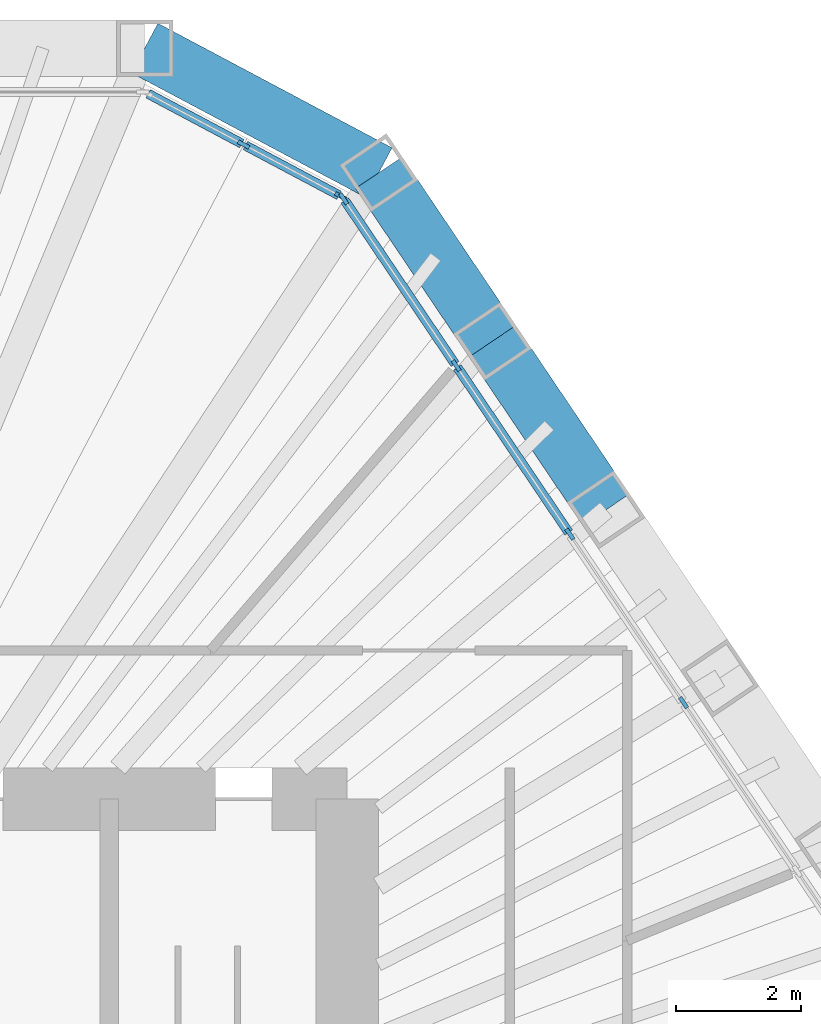
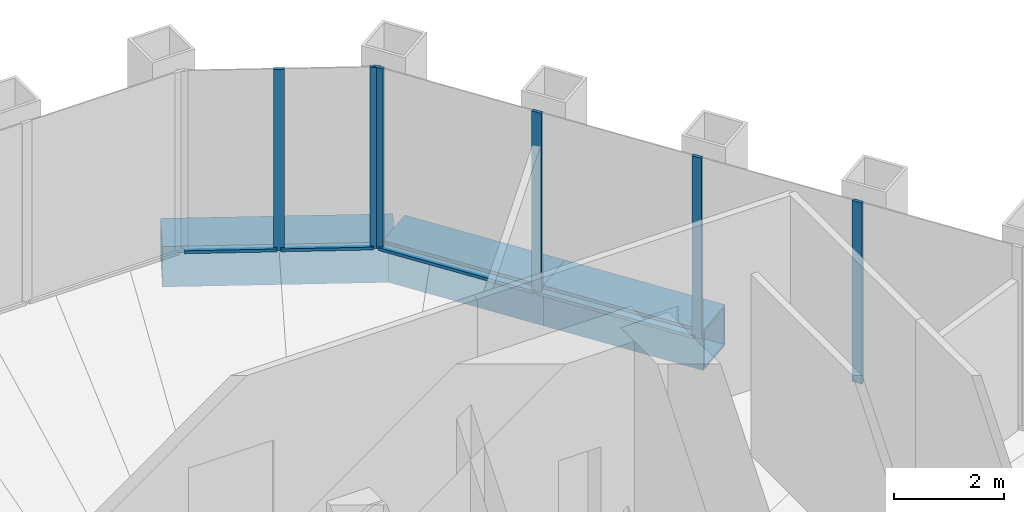
# One storey, part 8 of 14: 10 members, 3 beams, 2 elements without a shape of their own.
"""IFC4 building model written with IfcOpenShell, lengths in metres."""

import ifcopenshell
import ifcopenshell.guid

model = None  # the IFC model being written
_history = None  # IfcOwnerHistory: only IFC2X3 demands one
_inside = {}  # id of a spatial element -> (the spatial element, [elements in it])
_under = {}  # id of a project, library or spatial element -> (it, [spatial elements below it])
_declared = {}  # id of a project -> (the project, [libraries it declares])
_typed = {}  # id of a type object -> (the type object, [elements of that type])
_made_of = {}  # id of a material, layer set ... -> (it, [elements and type objects made of it])


def new_model(schema):
    """Start an empty IFC model of exactly this schema.

    Asked for "IFC4X3", IfcOpenShell would pick the latest addendum, in which some entities
    have other attributes; the version numbers below select the first issue.
    IFC2X3 requires an IfcOwnerHistory on every rooted entity: one is made here for all.
    """
    global model, _history
    if schema == "IFC4X3":
        model = ifcopenshell.file(schema_version=(4, 3, 0, 0))
    else:
        model = ifcopenshell.file(schema=schema)
    _inside.clear()
    _under.clear()
    _declared.clear()
    _typed.clear()
    _made_of.clear()
    _history = None
    if model.schema == "IFC2X3":
        org = make("IfcOrganization", Name="unknown")
        user = make(
            "IfcPersonAndOrganization",
            ThePerson=make("IfcPerson", FamilyName="unknown"),
            TheOrganization=org,
        )
        app = make(
            "IfcApplication",
            ApplicationDeveloper=org,
            Version="unknown",
            ApplicationFullName="unknown",
            ApplicationIdentifier="unknown",
        )
        _history = make(
            "IfcOwnerHistory",
            OwningUser=user,
            OwningApplication=app,
            ChangeAction="ADDED",
            CreationDate=0,
        )
    return model


def make(cls, **values):
    """One entity of the class cls with the attributes given. An attribute that is None is left unset."""
    return model.create_entity(
        cls, **{name: value for name, value in values.items() if value is not None}
    )


def rooted(cls, **values):
    """An entity with a GlobalId (a new one), such as an element, a storey or a relation."""
    return make(cls, GlobalId=ifcopenshell.guid.new(), OwnerHistory=_history, **values)


def si_unit(unit_type, name, prefix=None):
    """IfcSIUnit, for example si_unit("LENGTHUNIT", "METRE", prefix="MILLI")."""
    return make("IfcSIUnit", UnitType=unit_type, Prefix=prefix, Name=name)


def assignment(units):
    """IfcUnitAssignment: the units of a project."""
    return None if units is None else make("IfcUnitAssignment", Units=units)


def point(xyz):
    """IfcCartesianPoint."""
    return None if xyz is None else make("IfcCartesianPoint", Coordinates=xyz)


def direction(xyz):
    """IfcDirection."""
    return None if xyz is None else make("IfcDirection", DirectionRatios=xyz)


def frame(location, z_axis=None, x_axis=None):
    """IfcAxis2Placement3D, a coordinate frame: its origin and axes. An axis left out is left unset."""
    return make(
        "IfcAxis2Placement3D",
        Location=point(location),
        Axis=direction(z_axis),
        RefDirection=direction(x_axis),
    )


def frame_2d(location, x_axis=None):
    """IfcAxis2Placement2D, a coordinate frame in the plane: its origin and x axis."""
    return make(
        "IfcAxis2Placement2D", Location=point(location), RefDirection=direction(x_axis)
    )


def origin():
    """The frame at (0, 0, 0) with its axes left unset."""
    return frame((0.0, 0.0, 0.0))


def origin_2d():
    """The frame at (0, 0) in the plane with its x axis left unset."""
    return frame_2d((0.0, 0.0))


def place(relative_to, where):
    """IfcLocalPlacement: puts the frame where relative to a parent placement (None: the world)."""
    return make(
        "IfcLocalPlacement", PlacementRelTo=relative_to, RelativePlacement=where
    )


def context(
    kind, dimensions, precision=None, world=None, true_north=None, identifier=None
):
    """IfcGeometricRepresentationContext, for example the 3D "Model" context."""
    return make(
        "IfcGeometricRepresentationContext",
        ContextIdentifier=identifier,
        ContextType=kind,
        CoordinateSpaceDimension=dimensions,
        Precision=precision,
        WorldCoordinateSystem=world,
        TrueNorth=true_north,
    )


def subcontext(parent, identifier, kind, view, scale=None):
    """IfcGeometricRepresentationSubContext, for example "Body" below "Model"."""
    return make(
        "IfcGeometricRepresentationSubContext",
        ContextIdentifier=identifier,
        ContextType=kind,
        ParentContext=parent,
        TargetScale=scale,
        TargetView=view,
    )


def project(units=None, contexts=None):
    """IfcProject with its units and contexts."""
    return rooted(
        "IfcProject",
        Name="project",
        RepresentationContexts=contexts,
        UnitsInContext=assignment(units),
    )


def spatial(cls, under=None, at=None, **own):
    """A site, building, storey or space (cls), placed at a placement, below another one or the project."""
    s = rooted(cls, ObjectPlacement=at, **own)
    if under is not None:
        _under.setdefault(under.id(), (under, []))[1].append(s)
    return s


def profile(cls, at=None, kind="AREA", **sizes):
    """A parametric profile (cls). Its sizes go by their IFC names, for example OverallWidth=200.0."""
    return make(cls, ProfileType=kind, Position=at, **sizes)


def rectangle(**sizes):
    """IfcRectangleProfileDef."""
    return profile("IfcRectangleProfileDef", **sizes)


def hollow_rectangle(**sizes):
    """IfcRectangleHollowProfileDef."""
    return profile("IfcRectangleHollowProfileDef", **sizes)


def extrude(swept, where, along, depth):
    """IfcExtrudedAreaSolid: the profile swept, set in the frame where, extruded along a direction by depth."""
    return make(
        "IfcExtrudedAreaSolid",
        SweptArea=swept,
        Position=where,
        ExtrudedDirection=direction(along),
        Depth=depth,
    )


def shape(context_of_items, identifier, shape_type, items):
    """IfcShapeRepresentation: the items that make up one representation, for example the "Body"."""
    return make(
        "IfcShapeRepresentation",
        ContextOfItems=context_of_items,
        RepresentationIdentifier=identifier,
        RepresentationType=shape_type,
        Items=items,
    )


def material(Name=None, Category=None):
    """IfcMaterial."""
    return make("IfcMaterial", Name=Name, Category=Category)


def material_profile(
    of_material, cross_section, Name=None, Category=None, Priority=None
):
    """IfcMaterialProfile: a cross section and its material."""
    return make(
        "IfcMaterialProfile",
        Name=Name,
        Material=of_material,
        Profile=cross_section,
        Priority=Priority,
        Category=Category,
    )


def profile_set(profiles, Name=None, composite=None):
    """IfcMaterialProfileSet."""
    return make(
        "IfcMaterialProfileSet",
        Name=Name,
        MaterialProfiles=profiles,
        CompositeProfile=composite,
    )


def made_of(thing, what):
    """Note that an element or type object is made of a material, layer set ...; save() writes the relation."""
    if what is not None:
        _made_of.setdefault(what.id(), (what, []))[1].append(thing)
    return thing


def type_object(cls, material=None, **own):
    """A type object (cls), such as IfcWallType, which elements share."""
    return made_of(rooted(cls, **own), material)


def element(
    cls,
    number,
    at=None,
    inside=None,
    cuts=None,
    type_object=None,
    material=None,
    context=None,
    identifier="Body",
    shape_type=None,
    held_by="IfcProductDefinitionShape",
    body=None,
    shapes=None,
    **own,
):
    """One element of the class cls, such as IfcWall. Its Tag is "e" and its number.

    at: its placement. inside: the storey or other place that contains it. cuts: it is an
    opening in that element (IfcRelVoidsElement). A single representation is given by context,
    identifier, shape_type and body (its items); several are given by shapes. held_by: the class
    of the entity that holds the representations. save() writes the other relations.
    """
    e = rooted(cls, Tag="e%d" % number, ObjectPlacement=at, **own)
    if body is not None:
        shapes = [shape(context, identifier, shape_type, body)]
    if shapes is not None:
        e.Representation = make(held_by, Representations=shapes)
    if inside is not None:
        _inside.setdefault(inside.id(), (inside, []))[1].append(e)
    if cuts is not None:
        rooted(
            "IfcRelVoidsElement", RelatingBuildingElement=cuts, RelatedOpeningElement=e
        )
    if type_object is not None:
        _typed.setdefault(type_object.id(), (type_object, []))[1].append(e)
    return made_of(e, material)


def aggregate(whole, parts):
    """IfcRelAggregates: a whole, such as a stair, and the parts it consists of."""
    return rooted("IfcRelAggregates", RelatingObject=whole, RelatedObjects=parts)


def save(model, path):
    """Write the relations noted so far, then the file.

    IfcRelAggregates (storeys below a building ...), IfcRelContainedInSpatialStructure (elements
    in a storey), IfcRelDefinesByType, IfcRelAssociatesMaterial and IfcRelDeclares: one each for
    every whole, place, type object, material and project.
    """
    for whole, parts in _under.values():
        aggregate(whole, parts)
    for where, things in _inside.values():
        rooted(
            "IfcRelContainedInSpatialStructure",
            RelatedElements=things,
            RelatingStructure=where,
        )
    for kind, things in _typed.values():
        rooted("IfcRelDefinesByType", RelatedObjects=things, RelatingType=kind)
    for what, things in _made_of.values():
        rooted("IfcRelAssociatesMaterial", RelatedObjects=things, RelatingMaterial=what)
    for by, libraries in _declared.values():
        rooted("IfcRelDeclares", RelatingContext=by, RelatedDefinitions=libraries)
    model.write(path)


model = new_model("IFC4")

# Units and contexts
model_context = context("Model", 3, precision=1e-05, world=origin(), true_north=direction((0.0, 1.0)))
body_context = subcontext(model_context, "Body", "Model", "MODEL_VIEW")
ifc_project = project(units=[si_unit("LENGTHUNIT", "METRE"), si_unit("AREAUNIT", "SQUARE_METRE"), si_unit("VOLUMEUNIT", "CUBIC_METRE"), si_unit("PLANEANGLEUNIT", "RADIAN"), si_unit("MASSUNIT", "GRAM", prefix="KILO")], contexts=[model_context])

# Site, building, storey
site_placement = place(None, origin())
site = spatial("IfcSite", under=ifc_project, at=site_placement, CompositionType="ELEMENT")
building_placement = place(site_placement, origin())
building = spatial("IfcBuilding", under=site, at=building_placement, Name="Qingtian Harvest Tower", CompositionType="ELEMENT")
storey_placement = place(building_placement, frame((0.0, 0.0, 270.39990234375)))
storey = spatial("IfcBuildingStorey", under=building, at=storey_placement, Name="L59", CompositionType="ELEMENT", Elevation=270.39990234375)

# Curtain wall, members
ifc_material_1 = material(Name="Bronze-anodised aluminium curtain wall", Category="aluminium")
curtain_wall_type = type_object("IfcCurtainWallType", Name="Curtain wall CW5 upper office", PredefinedType="USERDEFINED", material=ifc_material_1)
curtain_wall_1_placement = place(storey_placement, origin())
curtain_wall_1 = element("IfcCurtainWall", 1, at=curtain_wall_1_placement, inside=storey, type_object=curtain_wall_type, Name="Curtain wall CW5 L59 NC", ObjectType="RECESSED CURTAIN WALL", PredefinedType="USERDEFINED")
ifc_material_2 = material(Name="Bronze-anodised aluminium mullion", Category="aluminium")
ifc_material_profile_1 = material_profile(ifc_material_2, rectangle(XDim=0.06494140625, YDim=0.199951171875, at=origin_2d()), Name="AL 65x200")
ifc_profile_set_1 = profile_set([ifc_material_profile_1], Name="Bronze-anodised aluminium mullion")
member_type_1 = type_object("IfcMemberType", Name="Mullion CWM 65x200", PredefinedType="MULLION", material=ifc_profile_set_1)
member_1_placement = place(storey_placement, frame((10.3466796875, 19.45947265625, 0.0), z_axis=(0.0, 0.0, 1.0), x_axis=(0.469471562786, 0.882947592859, 0.0)))
member_1 = element("IfcMember", 2, at=member_1_placement, type_object=member_type_1, Name="CW5 mullion 2", PredefinedType="MULLION", context=body_context, shape_type="SweptSolid", body=[
    extrude(rectangle(XDim=0.06494140625, YDim=0.199951171875, at=origin_2d()), origin(), (0.0, 0.0, 1.0), 4.030029296875),
])
member_2_placement = place(storey_placement, frame((11.89892578125, 18.634033203125, 0.0), z_axis=(0.0, 0.0, 1.0), x_axis=(0.469471562786, 0.882947592859, 0.0)))
member_2 = element("IfcMember", 3, at=member_2_placement, type_object=member_type_1, Name="CW5 mullion 3", PredefinedType="MULLION", context=body_context, shape_type="SweptSolid", body=[
    extrude(rectangle(XDim=0.06494140625, YDim=0.199951171875, at=origin_2d()), origin(), (0.0, 0.0, 1.0), 4.030029296875),
])

curtain_wall_2_placement = place(storey_placement, origin())
curtain_wall_2 = element("IfcCurtainWall", 4, at=curtain_wall_2_placement, inside=storey, type_object=curtain_wall_type, Name="Curtain wall CW5 L59 NE0-5", ObjectType="RECESSED CURTAIN WALL", PredefinedType="USERDEFINED")
member_3_placement = place(storey_placement, frame((11.94580078125, 18.592041015625, 0.0), z_axis=(0.0, 0.0, 1.0), x_axis=(0.829037572555, 0.559192903471, 0.0)))
member_3 = element("IfcMember", 5, at=member_3_placement, type_object=member_type_1, Name="CW5 mullion 1", PredefinedType="MULLION", context=body_context, shape_type="SweptSolid", body=[
    extrude(rectangle(XDim=0.06494140625, YDim=0.199951171875, at=origin_2d()), origin(), (0.0, 0.0, 1.0), 4.030029296875),
])
member_4_placement = place(storey_placement, frame((13.743896484375, 15.926025390625, 0.0), z_axis=(0.0, 0.0, 1.0), x_axis=(0.829037572555, 0.559192903471, 0.0)))
member_4 = element("IfcMember", 6, at=member_4_placement, type_object=member_type_1, Name="CW5 mullion 2", PredefinedType="MULLION", context=body_context, shape_type="SweptSolid", body=[
    extrude(rectangle(XDim=0.06494140625, YDim=0.199951171875, at=origin_2d()), origin(), (0.0, 0.0, 1.0), 4.030029296875),
])
member_5_placement = place(storey_placement, frame((15.56005859375, 13.2333984375, 0.0), z_axis=(0.0, 0.0, 1.0), x_axis=(0.829037572555, 0.559192903471, 0.0)))
member_5 = element("IfcMember", 7, at=member_5_placement, type_object=member_type_1, Name="CW5 mullion 3", PredefinedType="MULLION", context=body_context, shape_type="SweptSolid", body=[
    extrude(rectangle(XDim=0.06494140625, YDim=0.199951171875, at=origin_2d()), origin(), (0.0, 0.0, 1.0), 4.030029296875),
])
member_6_placement = place(storey_placement, frame((17.37646484375, 10.540771484375, 0.0), z_axis=(0.0, 0.0, 1.0), x_axis=(0.829037572555, 0.559192903471, 0.0)))
member_6 = element("IfcMember", 8, at=member_6_placement, type_object=member_type_1, Name="CW5 mullion 4", PredefinedType="MULLION", context=body_context, shape_type="SweptSolid", body=[
    extrude(rectangle(XDim=0.06494140625, YDim=0.199951171875, at=origin_2d()), origin(), (0.0, 0.0, 1.0), 4.030029296875),
])

# Beams
ifc_material_3 = material(Name="Steel SM570MC", Category="steel")
ifc_material_profile_2 = material_profile(ifc_material_3, hollow_rectangle(XDim=0.89990234375, YDim=0.89990234375, WallThickness=0.050048828125, at=origin_2d()), Name="BOX900x900x50")
ifc_profile_set_2 = profile_set([ifc_material_profile_2], Name="Steel SM570MC")
beam_type = type_object("IfcBeamType", Name="Transition spandrel SB6 BOX900x900x50", PredefinedType="SPANDREL", material=ifc_profile_set_2)
beam_1_placement = place(storey_placement, frame((8.765869140625, 21.0, -0.449951171875), z_axis=(0.882948599748, -0.469469669099, 0.0), x_axis=(0.469469669099, 0.882948599748, 0.0)))
element("IfcBeam", 9, at=beam_1_placement, inside=storey, type_object=beam_type, Name="Spandrel SB6 NC", PredefinedType="SPANDREL", context=body_context, shape_type="SweptSolid", body=[
    extrude(hollow_rectangle(XDim=0.89990234375, YDim=0.89990234375, WallThickness=0.050048828125, at=origin_2d()), origin(), (0.0, 0.0, 1.0), 4.23828125),
])
beam_2_placement = place(storey_placement, frame((12.508056640625, 19.01025390625, -0.449951171875), z_axis=(0.559184924833, -0.829042954158, 0.0), x_axis=(0.829042954158, 0.559184924833, 0.0)))
element("IfcBeam", 10, at=beam_2_placement, inside=storey, type_object=beam_type, Name="Spandrel SB6 NE0", PredefinedType="SPANDREL", context=body_context, shape_type="SweptSolid", body=[
    extrude(hollow_rectangle(XDim=0.89990234375, YDim=0.89990234375, WallThickness=0.050048828125, at=origin_2d()), origin(), (0.0, 0.0, 1.0), 3.247802734375),
])
beam_3_placement = place(storey_placement, frame((14.32421875, 16.317626953125, -0.449951171875), z_axis=(0.559201740147, -0.829031612073, 0.0), x_axis=(0.829031612073, 0.559201740147, 0.0)))
element("IfcBeam", 11, at=beam_3_placement, inside=storey, type_object=beam_type, Name="Spandrel SB6 NE1", PredefinedType="SPANDREL", context=body_context, shape_type="SweptSolid", body=[
    extrude(hollow_rectangle(XDim=0.89990234375, YDim=0.89990234375, WallThickness=0.050048828125, at=origin_2d()), origin(), (0.0, 0.0, 1.0), 3.248291015625),
])

# Member
ifc_material_4 = material(Name="Bronze-anodised aluminium transom", Category="aluminium")
ifc_material_profile_3 = material_profile(ifc_material_4, rectangle(XDim=0.14990234375, YDim=0.06494140625, at=origin_2d()), Name="AL 65x150")
ifc_profile_set_3 = profile_set([ifc_material_profile_3], Name="Bronze-anodised aluminium transom")
member_type_2 = type_object("IfcMemberType", Name="Transom CWT 65x150", PredefinedType="USERDEFINED", material=ifc_profile_set_3)
member_7_placement = place(storey_placement, frame((8.8232421875, 20.26953125, 0.03271484375), z_axis=(0.882927080927, -0.469510138086, 0.0), x_axis=(0.469510138086, 0.882927080927, 0.0)))
member_7 = element("IfcMember", 12, at=member_7_placement, type_object=member_type_2, Name="CW5 transom 1.1", ObjectType="TRANSOM", PredefinedType="USERDEFINED", context=body_context, shape_type="SweptSolid", body=[
    extrude(rectangle(XDim=0.14990234375, YDim=0.06494140625, at=origin_2d()), origin(), (0.0, 0.0, 1.0), 1.693115234375),
])

member_8_placement = place(storey_placement, frame((10.37548828125, 19.444091796875, 0.03271484375), z_axis=(0.882986854304, -0.469397715297, 0.0), x_axis=(0.469397715297, 0.882986854304, 0.0)))
member_8 = element("IfcMember", 13, at=member_8_placement, type_object=member_type_2, Name="CW5 transom 2.1", ObjectType="TRANSOM", PredefinedType="USERDEFINED", context=body_context, shape_type="SweptSolid", body=[
    extrude(rectangle(XDim=0.14990234375, YDim=0.06494140625, at=origin_2d()), origin(), (0.0, 0.0, 1.0), 1.69287109375),
])

aggregate(curtain_wall_1, [member_1, member_2, member_7, member_8])

member_9_placement = place(storey_placement, frame((11.9638671875, 18.56494140625, 0.03271484375), z_axis=(0.559251907839, -0.828997770551, 0.0), x_axis=(0.828997770551, 0.559251907839, 0.0)))
member_9 = element("IfcMember", 14, at=member_9_placement, type_object=member_type_2, Name="CW5 transom 1.1", ObjectType="TRANSOM", PredefinedType="USERDEFINED", context=body_context, shape_type="SweptSolid", body=[
    extrude(rectangle(XDim=0.14990234375, YDim=0.06494140625, at=origin_2d()), origin(), (0.0, 0.0, 1.0), 3.150634765625),
])

member_10_placement = place(storey_placement, frame((13.761962890625, 15.899169921875, 0.03271484375), z_axis=(0.55920542009, -0.829029129852, 0.0), x_axis=(0.829029129852, 0.55920542009, 0.0)))
member_10 = element("IfcMember", 15, at=member_10_placement, type_object=member_type_2, Name="CW5 transom 2.1", ObjectType="TRANSOM", PredefinedType="USERDEFINED", context=body_context, shape_type="SweptSolid", body=[
    extrude(rectangle(XDim=0.14990234375, YDim=0.06494140625, at=origin_2d()), origin(), (0.0, 0.0, 1.0), 3.18310546875),
])

aggregate(curtain_wall_2, [member_3, member_4, member_5, member_6, member_9, member_10])

save(model, "model.ifc")
